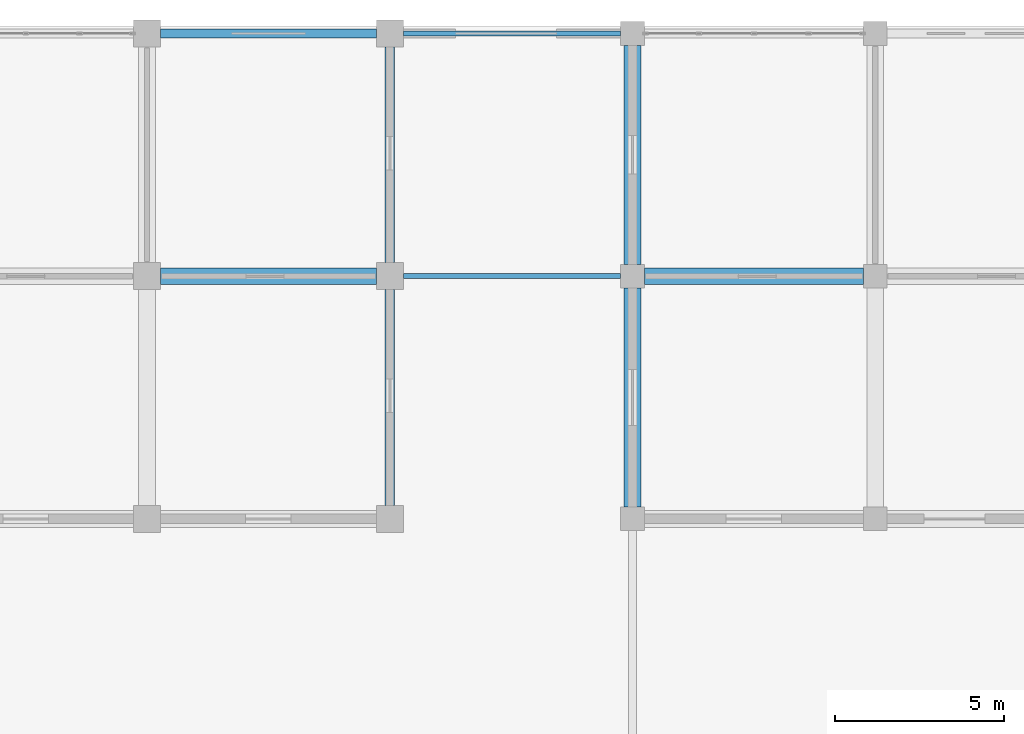
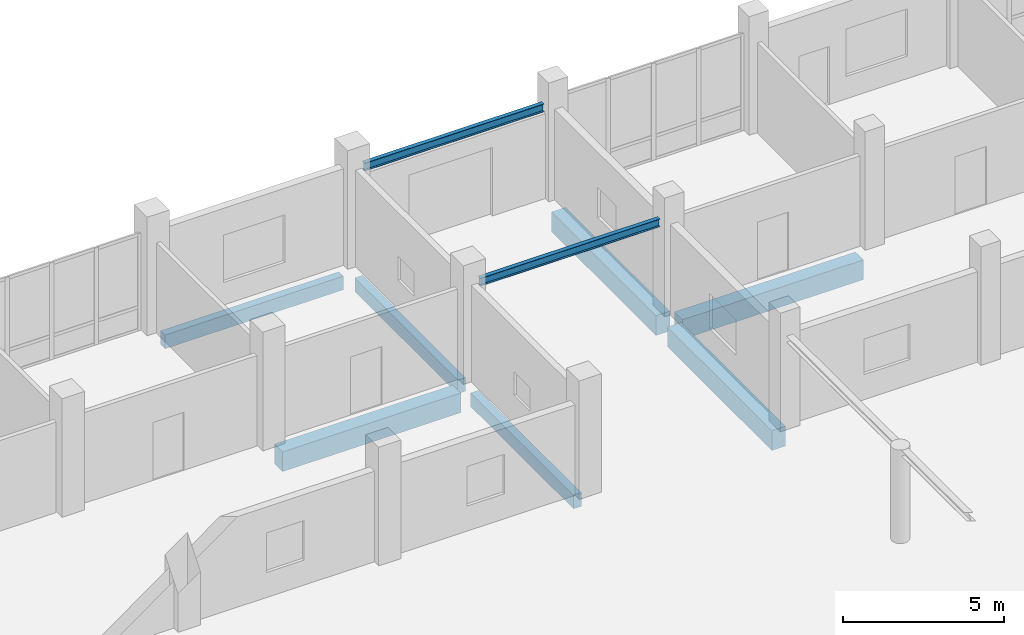
# One storey, part 65 of 139: 9 beams.
"""IFC4 building model written with IfcOpenShell, lengths in metres."""

import ifcopenshell
import ifcopenshell.guid

model = None  # the IFC model being written
_history = None  # IfcOwnerHistory: only IFC2X3 demands one
_inside = {}  # id of a spatial element -> (the spatial element, [elements in it])
_under = {}  # id of a project, library or spatial element -> (it, [spatial elements below it])
_declared = {}  # id of a project -> (the project, [libraries it declares])
_typed = {}  # id of a type object -> (the type object, [elements of that type])
_made_of = {}  # id of a material, layer set ... -> (it, [elements and type objects made of it])


def new_model(schema):
    """Start an empty IFC model of exactly this schema.

    Asked for "IFC4X3", IfcOpenShell would pick the latest addendum, in which some entities
    have other attributes; the version numbers below select the first issue.
    IFC2X3 requires an IfcOwnerHistory on every rooted entity: one is made here for all.
    """
    global model, _history
    if schema == "IFC4X3":
        model = ifcopenshell.file(schema_version=(4, 3, 0, 0))
    else:
        model = ifcopenshell.file(schema=schema)
    _inside.clear()
    _under.clear()
    _declared.clear()
    _typed.clear()
    _made_of.clear()
    _history = None
    if model.schema == "IFC2X3":
        org = make("IfcOrganization", Name="unknown")
        user = make(
            "IfcPersonAndOrganization",
            ThePerson=make("IfcPerson", FamilyName="unknown"),
            TheOrganization=org,
        )
        app = make(
            "IfcApplication",
            ApplicationDeveloper=org,
            Version="unknown",
            ApplicationFullName="unknown",
            ApplicationIdentifier="unknown",
        )
        _history = make(
            "IfcOwnerHistory",
            OwningUser=user,
            OwningApplication=app,
            ChangeAction="ADDED",
            CreationDate=0,
        )
    return model


def make(cls, **values):
    """One entity of the class cls with the attributes given. An attribute that is None is left unset."""
    return model.create_entity(
        cls, **{name: value for name, value in values.items() if value is not None}
    )


def rooted(cls, **values):
    """An entity with a GlobalId (a new one), such as an element, a storey or a relation."""
    return make(cls, GlobalId=ifcopenshell.guid.new(), OwnerHistory=_history, **values)


def si_unit(unit_type, name, prefix=None):
    """IfcSIUnit, for example si_unit("LENGTHUNIT", "METRE", prefix="MILLI")."""
    return make("IfcSIUnit", UnitType=unit_type, Prefix=prefix, Name=name)


def assignment(units):
    """IfcUnitAssignment: the units of a project."""
    return None if units is None else make("IfcUnitAssignment", Units=units)


def point(xyz):
    """IfcCartesianPoint."""
    return None if xyz is None else make("IfcCartesianPoint", Coordinates=xyz)


def direction(xyz):
    """IfcDirection."""
    return None if xyz is None else make("IfcDirection", DirectionRatios=xyz)


def frame(location, z_axis=None, x_axis=None):
    """IfcAxis2Placement3D, a coordinate frame: its origin and axes. An axis left out is left unset."""
    return make(
        "IfcAxis2Placement3D",
        Location=point(location),
        Axis=direction(z_axis),
        RefDirection=direction(x_axis),
    )


def frame_2d(location, x_axis=None):
    """IfcAxis2Placement2D, a coordinate frame in the plane: its origin and x axis."""
    return make(
        "IfcAxis2Placement2D", Location=point(location), RefDirection=direction(x_axis)
    )


def origin():
    """The frame at (0, 0, 0) with its axes left unset."""
    return frame((0.0, 0.0, 0.0))


def origin_2d():
    """The frame at (0, 0) in the plane with its x axis left unset."""
    return frame_2d((0.0, 0.0))


def place(relative_to, where):
    """IfcLocalPlacement: puts the frame where relative to a parent placement (None: the world)."""
    return make(
        "IfcLocalPlacement", PlacementRelTo=relative_to, RelativePlacement=where
    )


def context(
    kind, dimensions, precision=None, world=None, true_north=None, identifier=None
):
    """IfcGeometricRepresentationContext, for example the 3D "Model" context."""
    return make(
        "IfcGeometricRepresentationContext",
        ContextIdentifier=identifier,
        ContextType=kind,
        CoordinateSpaceDimension=dimensions,
        Precision=precision,
        WorldCoordinateSystem=world,
        TrueNorth=true_north,
    )


def subcontext(parent, identifier, kind, view, scale=None):
    """IfcGeometricRepresentationSubContext, for example "Body" below "Model"."""
    return make(
        "IfcGeometricRepresentationSubContext",
        ContextIdentifier=identifier,
        ContextType=kind,
        ParentContext=parent,
        TargetScale=scale,
        TargetView=view,
    )


def project(units=None, contexts=None):
    """IfcProject with its units and contexts."""
    return rooted(
        "IfcProject",
        Name="project",
        RepresentationContexts=contexts,
        UnitsInContext=assignment(units),
    )


def spatial(cls, under=None, at=None, **own):
    """A site, building, storey or space (cls), placed at a placement, below another one or the project."""
    s = rooted(cls, ObjectPlacement=at, **own)
    if under is not None:
        _under.setdefault(under.id(), (under, []))[1].append(s)
    return s


def profile(cls, at=None, kind="AREA", **sizes):
    """A parametric profile (cls). Its sizes go by their IFC names, for example OverallWidth=200.0."""
    return make(cls, ProfileType=kind, Position=at, **sizes)


def rectangle(**sizes):
    """IfcRectangleProfileDef."""
    return profile("IfcRectangleProfileDef", **sizes)


def i_section(**sizes):
    """IfcIShapeProfileDef."""
    return profile("IfcIShapeProfileDef", **sizes)


def extrude(swept, where, along, depth):
    """IfcExtrudedAreaSolid: the profile swept, set in the frame where, extruded along a direction by depth."""
    return make(
        "IfcExtrudedAreaSolid",
        SweptArea=swept,
        Position=where,
        ExtrudedDirection=direction(along),
        Depth=depth,
    )


def shape(context_of_items, identifier, shape_type, items):
    """IfcShapeRepresentation: the items that make up one representation, for example the "Body"."""
    return make(
        "IfcShapeRepresentation",
        ContextOfItems=context_of_items,
        RepresentationIdentifier=identifier,
        RepresentationType=shape_type,
        Items=items,
    )


def material(Name=None, Category=None):
    """IfcMaterial."""
    return make("IfcMaterial", Name=Name, Category=Category)


def material_profile(
    of_material, cross_section, Name=None, Category=None, Priority=None
):
    """IfcMaterialProfile: a cross section and its material."""
    return make(
        "IfcMaterialProfile",
        Name=Name,
        Material=of_material,
        Profile=cross_section,
        Priority=Priority,
        Category=Category,
    )


def profile_set(profiles, Name=None, composite=None):
    """IfcMaterialProfileSet."""
    return make(
        "IfcMaterialProfileSet",
        Name=Name,
        MaterialProfiles=profiles,
        CompositeProfile=composite,
    )


def made_of(thing, what):
    """Note that an element or type object is made of a material, layer set ...; save() writes the relation."""
    if what is not None:
        _made_of.setdefault(what.id(), (what, []))[1].append(thing)
    return thing


def type_object(cls, material=None, **own):
    """A type object (cls), such as IfcWallType, which elements share."""
    return made_of(rooted(cls, **own), material)


def element(
    cls,
    number,
    at=None,
    inside=None,
    cuts=None,
    type_object=None,
    material=None,
    context=None,
    identifier="Body",
    shape_type=None,
    held_by="IfcProductDefinitionShape",
    body=None,
    shapes=None,
    **own,
):
    """One element of the class cls, such as IfcWall. Its Tag is "e" and its number.

    at: its placement. inside: the storey or other place that contains it. cuts: it is an
    opening in that element (IfcRelVoidsElement). A single representation is given by context,
    identifier, shape_type and body (its items); several are given by shapes. held_by: the class
    of the entity that holds the representations. save() writes the other relations.
    """
    e = rooted(cls, Tag="e%d" % number, ObjectPlacement=at, **own)
    if body is not None:
        shapes = [shape(context, identifier, shape_type, body)]
    if shapes is not None:
        e.Representation = make(held_by, Representations=shapes)
    if inside is not None:
        _inside.setdefault(inside.id(), (inside, []))[1].append(e)
    if cuts is not None:
        rooted(
            "IfcRelVoidsElement", RelatingBuildingElement=cuts, RelatedOpeningElement=e
        )
    if type_object is not None:
        _typed.setdefault(type_object.id(), (type_object, []))[1].append(e)
    return made_of(e, material)


def aggregate(whole, parts):
    """IfcRelAggregates: a whole, such as a stair, and the parts it consists of."""
    return rooted("IfcRelAggregates", RelatingObject=whole, RelatedObjects=parts)


def save(model, path):
    """Write the relations noted so far, then the file.

    IfcRelAggregates (storeys below a building ...), IfcRelContainedInSpatialStructure (elements
    in a storey), IfcRelDefinesByType, IfcRelAssociatesMaterial and IfcRelDeclares: one each for
    every whole, place, type object, material and project.
    """
    for whole, parts in _under.values():
        aggregate(whole, parts)
    for where, things in _inside.values():
        rooted(
            "IfcRelContainedInSpatialStructure",
            RelatedElements=things,
            RelatingStructure=where,
        )
    for kind, things in _typed.values():
        rooted("IfcRelDefinesByType", RelatedObjects=things, RelatingType=kind)
    for what, things in _made_of.values():
        rooted("IfcRelAssociatesMaterial", RelatedObjects=things, RelatingMaterial=what)
    for by, libraries in _declared.values():
        rooted("IfcRelDeclares", RelatingContext=by, RelatedDefinitions=libraries)
    model.write(path)


model = new_model("IFC4")

# Units and contexts
model_context = context("Model", 3, precision=1e-05, world=origin(), true_north=direction((0.0, 1.0)))
body_context = subcontext(model_context, "Body", "Model", "MODEL_VIEW")
ifc_project = project(units=[si_unit("LENGTHUNIT", "METRE"), si_unit("AREAUNIT", "SQUARE_METRE"), si_unit("VOLUMEUNIT", "CUBIC_METRE"), si_unit("PLANEANGLEUNIT", "RADIAN"), si_unit("MASSUNIT", "GRAM", prefix="KILO")], contexts=[model_context])

# Site, building, storey
site_placement = place(None, origin())
site = spatial("IfcSite", under=ifc_project, at=site_placement, CompositionType="ELEMENT")
building_placement = place(site_placement, origin())
building = spatial("IfcBuilding", under=site, at=building_placement, Name="Suanplinth Sawtooth Commons", CompositionType="ELEMENT")
storey_placement = place(building_placement, origin())
storey = spatial("IfcBuildingStorey", under=building, at=storey_placement, Name="L00", CompositionType="ELEMENT", Elevation=0.0)

# Beams
ifc_material_1 = material(Name="Concrete C40/50", Category="concrete")
ifc_material_profile_1 = material_profile(ifc_material_1, rectangle(XDim=0.5, YDim=0.75, at=origin_2d()), Name="RC-GDR 500x750")
ifc_profile_set_1 = profile_set([ifc_material_profile_1], Name="Concrete C40/50")
beam_type_1 = type_object("IfcBeamType", Name="B-03", PredefinedType="USERDEFINED", material=ifc_profile_set_1)
beam_1_placement = place(storey_placement, frame((108.39990234375, 115.199951171875, -0.784912109375), z_axis=(1.0, 0.0, 0.0), x_axis=(0.0, 1.0, 0.0)))
element("IfcBeam", 1, at=beam_1_placement, inside=storey, type_object=beam_type_1, Name="BMX-L00-A-15-16", ObjectType="GIRDER", PredefinedType="USERDEFINED", context=body_context, shape_type="SweptSolid", body=[
    extrude(rectangle(XDim=0.5, YDim=0.75, at=origin_2d()), origin(), (0.0, 0.0, 1.0), 6.400146484375),
])
for number, where, z_axis, x_axis, name in (
    (2, (122.75, 115.199951171875, -0.794921875), (1.0, 0.0, 0.0), (0.0, 1.0, 0.0), "BMX-L00-B-17-16"),
    (3, (122.39990234375, 108.35009765625, -0.794921875), (0.0, 1.0, 0.0), (-1.0, 0.0, 0.0), "BMY-L00-B-17-15"),
    (4, (122.39990234375, 115.550048828125, -0.794921875), (0.0, 1.0, 0.0), (-1.0, 0.0, 0.0), "BMY-L00-B-17-16"),
):
    element("IfcBeam", number, at=place(storey_placement, frame(where, z_axis=z_axis, x_axis=x_axis)), inside=storey, type_object=beam_type_1, Name=name, ObjectType="GIRDER", PredefinedType="USERDEFINED", context=body_context, shape_type="SweptSolid", body=[
        extrude(rectangle(XDim=0.5, YDim=0.75, at=origin_2d()), origin(), (0.0, 0.0, 1.0), 6.5),
    ])
ifc_material_2 = material(Name="Precast concrete C40/50", Category="concrete")
ifc_material_profile_2 = material_profile(ifc_material_2, rectangle(XDim=0.280029296875, YDim=0.52001953125, at=origin_2d()), Name="PC-SP 280x520")
ifc_profile_set_2 = profile_set([ifc_material_profile_2], Name="Precast concrete C40/50")
beam_type_2 = type_object("IfcBeamType", Name="B-08", PredefinedType="SPANDREL", material=ifc_profile_set_2)
for number, where, z_axis, x_axis, name in (
    (5, (108.39990234375, 122.39990234375, -0.669921875), (1.0, 0.0, 0.0), (0.0, 1.0, 0.0), "BMX-L00-A-15-17"),
    (6, (115.199951171875, 108.39990234375, -0.669921875), (0.0, 1.0, 0.0), (-1.0, 0.0, 0.0), "BMY-L00-A-16-15"),
):
    element("IfcBeam", number, at=place(storey_placement, frame(where, z_axis=z_axis, x_axis=x_axis)), inside=storey, type_object=beam_type_2, Name=name, PredefinedType="SPANDREL", context=body_context, shape_type="SweptSolid", body=[
        extrude(rectangle(XDim=0.280029296875, YDim=0.52001953125, at=origin_2d()), origin(), (0.0, 0.0, 1.0), 6.400146484375),
    ])
beam_2_placement = place(storey_placement, frame((115.199951171875, 115.60009765625, -0.669921875), z_axis=(0.0, 1.0, 0.0), x_axis=(-1.0, 0.0, 0.0)))
element("IfcBeam", 7, at=beam_2_placement, inside=storey, type_object=beam_type_2, Name="BMY-L00-A-16-16", PredefinedType="SPANDREL", context=body_context, shape_type="SweptSolid", body=[
    extrude(rectangle(XDim=0.280029296875, YDim=0.52001953125, at=origin_2d()), origin(), (0.0, 0.0, 1.0), 6.39990234375),
])
ifc_material_3 = material(Name="Steel S355JR", Category="steel")
ifc_material_profile_3 = material_profile(ifc_material_3, i_section(OverallWidth=0.14990234375, OverallDepth=0.300048828125, WebThickness=0.007080078125, FlangeThickness=0.0107421875, at=origin_2d()), Name="IPE 300")
ifc_profile_set_3 = profile_set([ifc_material_profile_3], Name="Steel S355JR")
beam_type_3 = type_object("IfcBeamType", Name="B-13", PredefinedType="BEAM", material=ifc_profile_set_3)
for number, where, z_axis, x_axis, name in (
    (8, (115.60009765625, 115.199951171875, 3.39990234375), (1.0, 0.0, 0.0), (0.0, 1.0, 0.0), "BM-NGATE-S"),
    (9, (115.60009765625, 122.39990234375, 3.39990234375), (1.0, 0.0, 0.0), (0.0, 1.0, 0.0), "BM-NGATE-N"),
):
    element("IfcBeam", number, at=place(storey_placement, frame(where, z_axis=z_axis, x_axis=x_axis)), inside=storey, type_object=beam_type_3, Name=name, PredefinedType="BEAM", context=body_context, shape_type="SweptSolid", body=[
        extrude(i_section(OverallWidth=0.14990234375, OverallDepth=0.300048828125, WebThickness=0.007080078125, FlangeThickness=0.0107421875, at=origin_2d()), origin(), (0.0, 0.0, 1.0), 6.449951171875),
    ])

save(model, "model.ifc")
